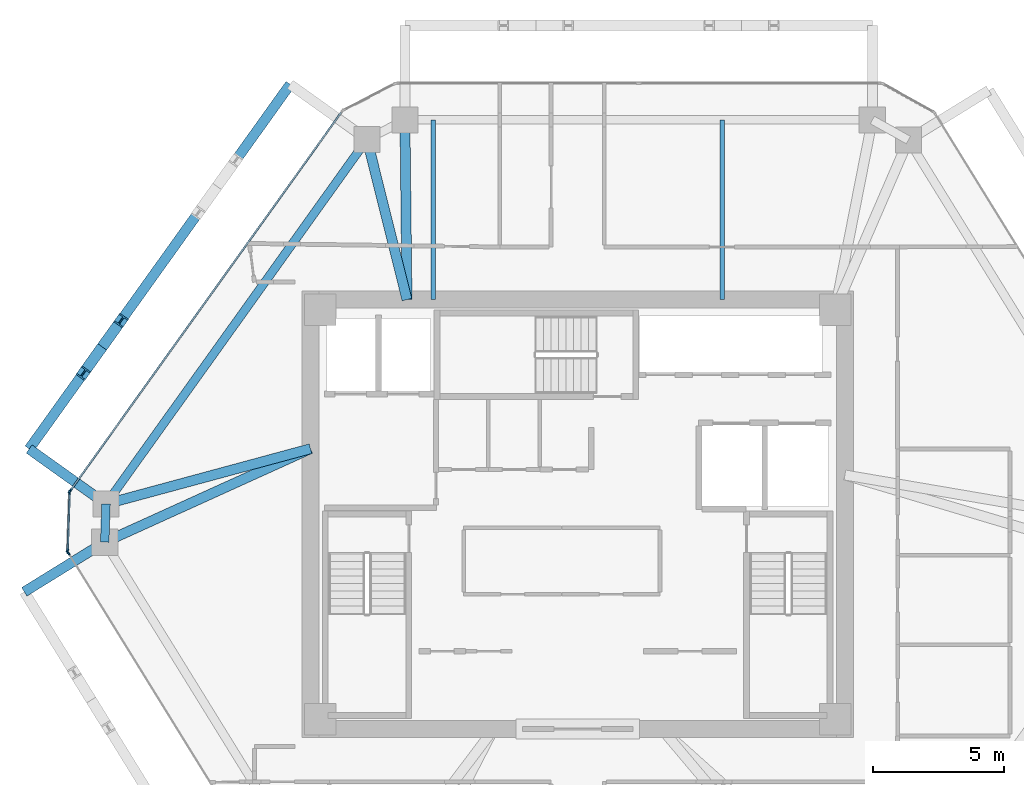
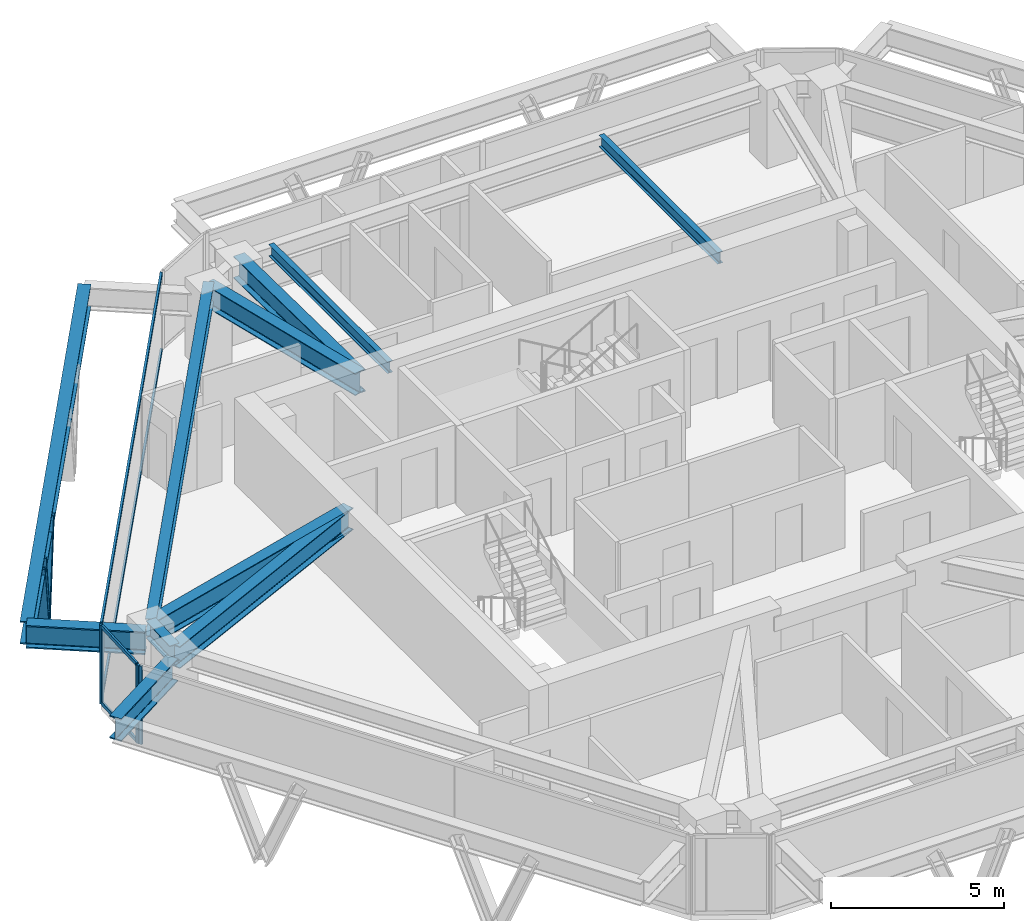
# One storey, part 4 of 12: 11 beams, 10 members, 3 elements without a shape of their own.
"""IFC4 building model written with IfcOpenShell, lengths in metres."""

from ifc_helpers import new_model, si_unit, direction, frame, origin, origin_2d, place, context, subcontext, project, spatial, rectangle, i_section, extrude, source, transform, mapped, material, layer, layer_set, material_profile, profile_set, type_object, type_shapes, element, aggregate, save


model = new_model("IFC4")

# Units and contexts
model_context = context("Model", 3, precision=1e-05, world=origin(), true_north=direction((0.0, 1.0)))
body_context = subcontext(model_context, "Body", "Model", "MODEL_VIEW")
ifc_project = project(units=[si_unit("LENGTHUNIT", "METRE"), si_unit("AREAUNIT", "SQUARE_METRE"), si_unit("VOLUMEUNIT", "CUBIC_METRE"), si_unit("PLANEANGLEUNIT", "RADIAN"), si_unit("MASSUNIT", "GRAM", prefix="KILO")], contexts=[model_context])

# Site, building, storey
site_placement = place(None, origin())
site = spatial("IfcSite", under=ifc_project, at=site_placement, CompositionType="ELEMENT")
building_placement = place(site_placement, origin())
building = spatial("IfcBuilding", under=site, at=building_placement, Name="Durnholm Broadcast Tower", CompositionType="ELEMENT")
storey_placement = place(building_placement, frame((0.0, 0.0, 203.199951171875)))
storey = spatial("IfcBuildingStorey", under=building, at=storey_placement, Name="L56", CompositionType="ELEMENT", Elevation=203.199951171875)

# Beams
ifc_material_1 = material(Name="Steel ASTM A992 Grade 50", Category="steel")
ifc_material_profile_1 = material_profile(ifc_material_1, i_section(OverallWidth=0.385009765625, OverallDepth=0.802978515625, WebThickness=0.023681640625, FlangeThickness=0.0419921875, FilletRadius=0.032958984375, at=origin_2d()), Name="W30X261")
ifc_profile_set_1 = profile_set([ifc_material_profile_1], Name="Steel ASTM A992 Grade 50")
beam_type_1 = type_object("IfcBeamType", Name="BM-EXO-TIE", PredefinedType="USERDEFINED", material=ifc_profile_set_1)
shared_shape_1 = source(origin(), body_context, "Body", "SweptSolid", [
    extrude(i_section(OverallWidth=0.385009765625, OverallDepth=0.802978515625, WebThickness=0.023681640625, FlangeThickness=0.0419921875, FilletRadius=0.032958984375, at=origin_2d()), origin(), (0.0, 0.0, 1.0), 3.4560546875),
])
beam_1_placement = place(storey_placement, frame((-18.131591796875, -1.13232421875, 2.008544921875), z_axis=(-0.850662348375, -0.525712439512, 0.0), x_axis=(0.525712439512, -0.850662348375, 0.0)))
element("IfcBeam", 1, at=beam_1_placement, inside=storey, type_object=beam_type_1, Name="L56 exoskeleton stand-off tie bracket F6.1", ObjectType="GIRDER", PredefinedType="USERDEFINED", context=body_context, shape_type="MappedRepresentation", body=[
    mapped(shared_shape_1, transform((0.0, 0.0, 0.0), x_axis=(1.0, 0.0, 0.0), y_axis=(0.0, 1.0, 0.0), z_axis=(0.0, 0.0, 1.0), scale=1.0)),
])
shared_shape_2 = source(origin(), body_context, "Body", "SweptSolid", [
    extrude(i_section(OverallWidth=0.385009765625, OverallDepth=0.802978515625, WebThickness=0.023681640625, FlangeThickness=0.0419921875, FilletRadius=0.032958984375, at=origin_2d()), origin(), (0.0, 0.0, 1.0), 3.455810546875),
])
beam_2_placement = place(storey_placement, frame((-18.076904296875, 0.4794921875, 2.008544921875), z_axis=(-0.813112485828, 0.582106592808, 0.0), x_axis=(-0.582106592808, -0.813112485828, 0.0)))
element("IfcBeam", 2, at=beam_2_placement, inside=storey, type_object=beam_type_1, Name="L56 exoskeleton stand-off tie bracket F5.2", ObjectType="GIRDER", PredefinedType="USERDEFINED", context=body_context, shape_type="MappedRepresentation", body=[
    mapped(shared_shape_2, transform((0.0, 0.0, 0.0), x_axis=(1.0, 0.0, 0.0), y_axis=(0.0, 1.0, 0.0), z_axis=(0.0, 0.0, 1.0), scale=1.0)),
])
ifc_material_profile_2 = material_profile(ifc_material_1, i_section(OverallWidth=0.3251953125, OverallDepth=0.6162109375, WebThickness=0.013916015625, FlangeThickness=0.021484375, FilletRadius=0.02783203125, at=origin_2d()), Name="W24X117")
ifc_profile_set_2 = profile_set([ifc_material_profile_2], Name="Steel ASTM A992 Grade 50")
beam_type_2 = type_object("IfcBeamType", Name="STL-SP-W24X117", PredefinedType="SPANDREL", material=ifc_profile_set_2)
shared_shape_3 = source(origin(), body_context, "Body", "SweptSolid", [
    extrude(i_section(OverallWidth=0.3251953125, OverallDepth=0.6162109375, WebThickness=0.013916015625, FlangeThickness=0.021484375, FilletRadius=0.02783203125, at=origin_2d()), origin(), (0.0, 0.0, 1.0), 1.452880859375),
])
beam_3_placement = place(storey_placement, frame((-18.009033203125, -1.056640625, 2.43701171875), z_axis=(0.03377359304, 0.999429509477, 0.0), x_axis=(-0.999429509477, 0.03377359304, 0.0)))
element("IfcBeam", 3, at=beam_3_placement, inside=storey, type_object=beam_type_2, Name="L56 perimeter spandrel girder 02", PredefinedType="SPANDREL", context=body_context, shape_type="MappedRepresentation", body=[
    mapped(shared_shape_3, transform((0.0, 0.0, 0.0), x_axis=(1.0, 0.0, 0.0), y_axis=(0.0, 1.0, 0.0), z_axis=(0.0, 0.0, 1.0), scale=1.0)),
])
shared_shape_4 = source(origin(), body_context, "Body", "SweptSolid", [
    extrude(i_section(OverallWidth=0.3251953125, OverallDepth=0.6162109375, WebThickness=0.013916015625, FlangeThickness=0.021484375, FilletRadius=0.02783203125, at=origin_2d()), origin(), (0.0, 0.0, 1.0), 17.07177734375),
])
type_shapes(beam_type_2, [shared_shape_3, shared_shape_4])
beam_4_placement = place(storey_placement, frame((-17.9599609375, 0.3955078125, 2.43701171875), z_axis=(0.582142843258, 0.813086532937, 0.0), x_axis=(-0.813086532937, 0.582142843258, 0.0)))
element("IfcBeam", 4, at=beam_4_placement, inside=storey, type_object=beam_type_2, Name="L56 perimeter spandrel girder 03", PredefinedType="SPANDREL", context=body_context, shape_type="MappedRepresentation", body=[
    mapped(shared_shape_4, transform((0.0, 0.0, 0.0), x_axis=(1.0, 0.0, 0.0), y_axis=(0.0, 1.0, 0.0), z_axis=(0.0, 0.0, 1.0), scale=1.0)),
])
shared_shape_5 = source(origin(), body_context, "Body", "SweptSolid", [
    extrude(i_section(OverallWidth=0.385009765625, OverallDepth=0.802978515625, WebThickness=0.023681640625, FlangeThickness=0.0419921875, FilletRadius=0.032958984375, at=origin_2d()), origin(), (0.0, 0.0, 1.0), 17.07177734375),
])
type_shapes(beam_type_1, [shared_shape_1, shared_shape_2, shared_shape_5])
beam_5_placement = place(storey_placement, frame((-10.948974609375, 16.3720703125, 2.008544921875), z_axis=(-0.582133388739, -0.813093301974, 0.0), x_axis=(0.813093301974, -0.582133388739, 0.0)))
element("IfcBeam", 5, at=beam_5_placement, inside=storey, type_object=beam_type_1, Name="L56 exoskeleton collector spandrel F5", PredefinedType="SPANDREL", context=body_context, shape_type="MappedRepresentation", body=[
    mapped(shared_shape_5, transform((0.0, 0.0, 0.0), x_axis=(1.0, 0.0, 0.0), y_axis=(0.0, 1.0, 0.0), z_axis=(0.0, 0.0, 1.0), scale=1.0)),
])
ifc_material_profile_3 = material_profile(ifc_material_1, i_section(OverallWidth=0.380615234375, OverallDepth=0.773193359375, WebThickness=0.0166015625, FlangeThickness=0.027099609375, FilletRadius=0.032958984375, at=origin_2d()), Name="W30X173")
ifc_profile_set_3 = profile_set([ifc_material_profile_3], Name="Steel ASTM A992 Grade 50")
beam_type_3 = type_object("IfcBeamType", Name="STL-GR-W30X173", PredefinedType="USERDEFINED", material=ifc_profile_set_3)
shared_shape_6 = source(origin(), body_context, "Body", "SweptSolid", [
    extrude(i_section(OverallWidth=0.380615234375, OverallDepth=0.773193359375, WebThickness=0.0166015625, FlangeThickness=0.027099609375, FilletRadius=0.032958984375, at=origin_2d()), origin(), (0.0, 0.0, 1.0), 8.603515625),
])
beam_6_placement = place(storey_placement, frame((-10.175048828125, 2.5, 2.3583984375), z_axis=(-0.910552971728, -0.413392411248, 0.0), x_axis=(0.413392411248, -0.910552971728, 0.0)))
element("IfcBeam", 6, at=beam_6_placement, inside=storey, type_object=beam_type_3, Name="L56 radial primary floor girder 02", ObjectType="GIRDER", PredefinedType="USERDEFINED", context=body_context, shape_type="MappedRepresentation", body=[
    mapped(shared_shape_6, transform((0.0, 0.0, 0.0), x_axis=(1.0, 0.0, 0.0), y_axis=(0.0, 1.0, 0.0), z_axis=(0.0, 0.0, 1.0), scale=1.0)),
])
shared_shape_7 = source(origin(), body_context, "Body", "SweptSolid", [
    extrude(i_section(OverallWidth=0.380615234375, OverallDepth=0.773193359375, WebThickness=0.0166015625, FlangeThickness=0.027099609375, FilletRadius=0.032958984375, at=origin_2d()), origin(), (0.0, 0.0, 1.0), 8.064453125),
])
beam_7_placement = place(storey_placement, frame((-10.175048828125, 2.5, 2.3583984375), z_axis=(-0.96534896552, -0.260962401066, 0.0), x_axis=(0.260962401066, -0.96534896552, 0.0)))
element("IfcBeam", 7, at=beam_7_placement, inside=storey, type_object=beam_type_3, Name="L56 radial primary floor girder 03", ObjectType="GIRDER", PredefinedType="USERDEFINED", context=body_context, shape_type="MappedRepresentation", body=[
    mapped(shared_shape_7, transform((0.0, 0.0, 0.0), x_axis=(1.0, 0.0, 0.0), y_axis=(0.0, 1.0, 0.0), z_axis=(0.0, 0.0, 1.0), scale=1.0)),
])
shared_shape_8 = source(origin(), body_context, "Body", "SweptSolid", [
    extrude(i_section(OverallWidth=0.380615234375, OverallDepth=0.773193359375, WebThickness=0.0166015625, FlangeThickness=0.027099609375, FilletRadius=0.032958984375, at=origin_2d()), origin(), (0.0, 0.0, 1.0), 6.288330078125),
])
beam_8_placement = place(storey_placement, frame((-6.5, 8.175048828125, 2.3583984375), z_axis=(-0.241996604408, 0.970277096223, 0.0), x_axis=(-0.970277096223, -0.241996604408, 0.0)))
element("IfcBeam", 8, at=beam_8_placement, inside=storey, type_object=beam_type_3, Name="L56 radial primary floor girder 04", ObjectType="GIRDER", PredefinedType="USERDEFINED", context=body_context, shape_type="MappedRepresentation", body=[
    mapped(shared_shape_8, transform((0.0, 0.0, 0.0), x_axis=(1.0, 0.0, 0.0), y_axis=(0.0, 1.0, 0.0), z_axis=(0.0, 0.0, 1.0), scale=1.0)),
])
shared_shape_9 = source(origin(), body_context, "Body", "SweptSolid", [
    extrude(i_section(OverallWidth=0.380615234375, OverallDepth=0.773193359375, WebThickness=0.0166015625, FlangeThickness=0.027099609375, FilletRadius=0.032958984375, at=origin_2d()), origin(), (0.0, 0.0, 1.0), 6.843505859375),
])
type_shapes(beam_type_3, [shared_shape_6, shared_shape_7, shared_shape_8, shared_shape_9])
beam_9_placement = place(storey_placement, frame((-6.5, 8.175048828125, 2.3583984375), z_axis=(-0.011487343604, 0.999934018292, 0.0), x_axis=(-0.999934018292, -0.011487343604, 0.0)))
element("IfcBeam", 9, at=beam_9_placement, inside=storey, type_object=beam_type_3, Name="L56 radial primary floor girder 05", ObjectType="GIRDER", PredefinedType="USERDEFINED", context=body_context, shape_type="MappedRepresentation", body=[
    mapped(shared_shape_9, transform((0.0, 0.0, 0.0), x_axis=(1.0, 0.0, 0.0), y_axis=(0.0, 1.0, 0.0), z_axis=(0.0, 0.0, 1.0), scale=1.0)),
])
ifc_material_profile_4 = material_profile(ifc_material_1, i_section(OverallWidth=0.177734375, OverallDepth=0.40673828125, WebThickness=0.0078125, FlangeThickness=0.0126953125, FilletRadius=0.01904296875, at=origin_2d()), Name="W16X40")
ifc_profile_set_4 = profile_set([ifc_material_profile_4], Name="Steel ASTM A992 Grade 50")
beam_type_4 = type_object("IfcBeamType", Name="STL-BJ-W16X40", PredefinedType="JOIST", material=ifc_profile_set_4)
shared_shape_10 = source(origin(), body_context, "Body", "SweptSolid", [
    extrude(i_section(OverallWidth=0.177734375, OverallDepth=0.40673828125, WebThickness=0.0078125, FlangeThickness=0.0126953125, FilletRadius=0.01904296875, at=origin_2d()), origin(), (0.0, 0.0, 1.0), 6.843017578125),
])
type_shapes(beam_type_4, [shared_shape_10])
for number, where, z_axis, x_axis, name in (
    (10, (-5.5, 8.175048828125, 2.541748046875), (0.0, 1.0, 0.0), (-1.0, 0.0, 0.0), "L56 secondary floor joist 3.2"),
    (11, (5.5, 8.175048828125, 2.541748046875), (0.0, 1.0, 0.0), (-1.0, 0.0, 0.0), "L56 secondary floor joist 4.2"),
):
    element("IfcBeam", number, at=place(storey_placement, frame(where, z_axis=z_axis, x_axis=x_axis)), inside=storey, type_object=beam_type_4, Name=name, PredefinedType="JOIST", context=body_context, shape_type="MappedRepresentation", body=[
        mapped(shared_shape_10, transform((0.0, 0.0, 0.0), x_axis=(1.0, 0.0, 0.0), y_axis=(0.0, 1.0, 0.0), z_axis=(0.0, 0.0, 1.0), scale=1.0)),
    ])

# Members
ifc_material_2 = material(Name="Steel ASTM A913 Grade 65", Category="steel")
ifc_material_profile_5 = material_profile(ifc_material_2, i_section(OverallWidth=0.412109375, OverallDepth=0.434814453125, WebThickness=0.035888671875, FlangeThickness=0.057373046875, FilletRadius=0.030517578125, at=origin_2d()), Name="W14X311")
ifc_profile_set_5 = profile_set([ifc_material_profile_5], Name="Steel ASTM A913 Grade 65")
member_type_1 = type_object("IfcMemberType", Name="STL-DG-W14X311", PredefinedType="BRACE", material=ifc_profile_set_5)
shared_shape_11 = source(origin(), body_context, "Body", "SweptSolid", [
    extrude(i_section(OverallWidth=0.412109375, OverallDepth=0.434814453125, WebThickness=0.035888671875, FlangeThickness=0.057373046875, FilletRadius=0.030517578125, at=origin_2d()), origin(), (0.0, 0.0, 1.0), 3.24365234375),
])
member_1_placement = place(storey_placement, frame((-18.1044921875, 6.3779296875, -0.991455078125), z_axis=(-0.22135424125, -0.309263712104, 0.924855802953), x_axis=(0.813171482985, -0.58202417412, 0.0)))
element("IfcMember", 12, at=member_1_placement, inside=storey, type_object=member_type_1, Name="L56 stand-off diagrid brace F5.D2.2", PredefinedType="BRACE", context=body_context, shape_type="MappedRepresentation", body=[
    mapped(shared_shape_11, transform((0.0, 0.0, 0.0), x_axis=(1.0, 0.0, 0.0), y_axis=(0.0, 1.0, 0.0), z_axis=(0.0, 0.0, 1.0), scale=1.0)),
])
shared_shape_12 = source(origin(), body_context, "Body", "SweptSolid", [
    extrude(i_section(OverallWidth=0.412109375, OverallDepth=0.434814453125, WebThickness=0.035888671875, FlangeThickness=0.057373046875, FilletRadius=0.030517578125, at=origin_2d()), origin(), (0.0, 0.0, 1.0), 3.243896484375),
])
type_shapes(member_type_1, [shared_shape_11, shared_shape_12])
member_2_placement = place(storey_placement, frame((-18.1044921875, 6.3779296875, -0.991455078125), z_axis=(0.22142581661, 0.309258558956, 0.92484039242), x_axis=(-0.813077820009, 0.582155012526, 0.0)))
element("IfcMember", 13, at=member_2_placement, inside=storey, type_object=member_type_1, Name="L56 stand-off diagrid brace F5.D2.1", PredefinedType="BRACE", context=body_context, shape_type="MappedRepresentation", body=[
    mapped(shared_shape_12, transform((0.0, 0.0, 0.0), x_axis=(1.0, 0.0, 0.0), y_axis=(0.0, 1.0, 0.0), z_axis=(0.0, 0.0, 1.0), scale=1.0)),
])

# Curtain wall, members
ifc_material_3 = material(Name="Aluminium and Solar Control IGU", Category="aluminium")
ifc_layer_1 = layer(ifc_material_3, 0.1650390625)
ifc_layer_set_1 = layer_set([ifc_layer_1], Name="Aluminium and Solar Control IGU")
curtain_wall_type_1 = type_object("IfcCurtainWallType", Name="CW-SYS-5", PredefinedType="NOTDEFINED", material=ifc_layer_set_1)
curtain_wall_1_placement = place(storey_placement, origin())
curtain_wall_1 = element("IfcCurtainWall", 14, at=curtain_wall_1_placement, inside=storey, type_object=curtain_wall_type_1, Name="L56 curtain wall CW-CORNER CW-L56-CRN-01", PredefinedType="NOTDEFINED")
ifc_material_4 = material(Name="Aluminium 6063-T6", Category="aluminium")
ifc_material_profile_6 = material_profile(ifc_material_4, rectangle(XDim=0.06494140625, YDim=0.1650390625, at=origin_2d()), Name="CWM65X165")
ifc_profile_set_6 = profile_set([ifc_material_profile_6], Name="Aluminium 6063-T6")
member_type_2 = type_object("IfcMemberType", Name="CW-SYS-5-MUL", PredefinedType="MULLION", material=ifc_profile_set_6)
shared_shape_13 = source(origin(), body_context, "Body", "SweptSolid", [
    extrude(rectangle(XDim=0.06494140625, YDim=0.1650390625, at=origin_2d()), origin(), (0.0, 0.0, 1.0), 2.760009765625),
])
type_shapes(member_type_2, [shared_shape_13])
member_3_placement = place(storey_placement, frame((-19.421630859375, -1.39990234375, 0.0), z_axis=(0.0, 0.0, 1.0), x_axis=(-0.999424798802, 0.033912704699, 0.0)))
member_3 = element("IfcMember", 15, at=member_3_placement, type_object=member_type_2, Name="CW-CORNER mullion 1", PredefinedType="MULLION", context=body_context, shape_type="MappedRepresentation", body=[
    mapped(shared_shape_13, transform((0.0, 0.0, 0.0), x_axis=(1.0, 0.0, 0.0), y_axis=(0.0, 1.0, 0.0), z_axis=(0.0, 0.0, 1.0), scale=1.0)),
])
member_4_placement = place(storey_placement, frame((-19.345703125, 0.833740234375, 0.0), z_axis=(0.0, 0.0, 1.0), x_axis=(-0.999424798802, 0.033912704699, 0.0)))
member_4 = element("IfcMember", 16, at=member_4_placement, type_object=member_type_2, Name="CW-CORNER mullion 2", PredefinedType="MULLION", context=body_context, shape_type="MappedRepresentation", body=[
    mapped(shared_shape_13, transform((0.0, 0.0, 0.0), x_axis=(1.0, 0.0, 0.0), y_axis=(0.0, 1.0, 0.0), z_axis=(0.0, 0.0, 1.0), scale=1.0)),
])
ifc_material_profile_7 = material_profile(ifc_material_4, rectangle(XDim=0.06494140625, YDim=0.1298828125, at=origin_2d()), Name="CWT65X130")
ifc_profile_set_7 = profile_set([ifc_material_profile_7], Name="Aluminium 6063-T6")
member_type_3 = type_object("IfcMemberType", Name="CW-SYS-5-TRN", PredefinedType="USERDEFINED", material=ifc_profile_set_7)
shared_shape_14 = source(origin(), body_context, "Body", "SweptSolid", [
    extrude(rectangle(XDim=0.06494140625, YDim=0.1298828125, at=origin_2d()), origin(), (0.0, 0.0, 1.0), 2.169921875),
])
type_shapes(member_type_3, [shared_shape_14])
member_5_placement = place(storey_placement, frame((-19.42041015625, -1.367431640625, 0.032470703125), z_axis=(0.033865512339, 0.999426399028, 0.0), x_axis=(-0.999426399028, 0.033865512339, 0.0)))
member_5 = element("IfcMember", 17, at=member_5_placement, type_object=member_type_3, Name="CW-CORNER transom 1.1", ObjectType="TRANSOM", PredefinedType="USERDEFINED", context=body_context, shape_type="MappedRepresentation", body=[
    mapped(shared_shape_14, transform((0.0, 0.0, 0.0), x_axis=(1.0, 0.0, 0.0), y_axis=(0.0, 1.0, 0.0), z_axis=(0.0, 0.0, 1.0), scale=1.0)),
])
member_6_placement = place(storey_placement, frame((-19.42041015625, -1.367431640625, 2.7275390625), z_axis=(0.033865512339, 0.999426399028, 0.0), x_axis=(-0.999426399028, 0.033865512339, 0.0)))
member_6 = element("IfcMember", 18, at=member_6_placement, type_object=member_type_3, Name="CW-CORNER transom 1.2", ObjectType="TRANSOM", PredefinedType="USERDEFINED", context=body_context, shape_type="MappedRepresentation", body=[
    mapped(shared_shape_14, transform((0.0, 0.0, 0.0), x_axis=(1.0, 0.0, 0.0), y_axis=(0.0, 1.0, 0.0), z_axis=(0.0, 0.0, 1.0), scale=1.0)),
])
aggregate(curtain_wall_1, [member_3, member_4, member_5, member_6])

ifc_layer_2 = layer(ifc_material_3, 0.18994140625)
ifc_layer_set_2 = layer_set([ifc_layer_2], Name="Aluminium and Solar Control IGU")
curtain_wall_type_2 = type_object("IfcCurtainWallType", Name="CW-SYS-4", PredefinedType="NOTDEFINED", material=ifc_layer_set_2)
curtain_wall_2_placement = place(storey_placement, origin())
curtain_wall_2 = element("IfcCurtainWall", 19, at=curtain_wall_2_placement, inside=storey, type_object=curtain_wall_type_2, Name="L56 curtain wall CW-Z34-VIS CW-L56-F02", PredefinedType="NOTDEFINED")
ifc_material_profile_8 = material_profile(ifc_material_4, rectangle(XDim=0.070068359375, YDim=0.14990234375, at=origin_2d()), Name="CWT70X150")
ifc_profile_set_8 = profile_set([ifc_material_profile_8], Name="Aluminium 6063-T6")
member_type_4 = type_object("IfcMemberType", Name="CW-SYS-4-TRN", PredefinedType="USERDEFINED", material=ifc_profile_set_8)
shared_shape_15 = source(origin(), body_context, "Body", "SweptSolid", [
    extrude(rectangle(XDim=0.070068359375, YDim=0.14990234375, at=origin_2d()), origin(), (0.0, 0.0, 1.0), 17.69384765625),
])
type_shapes(member_type_4, [shared_shape_15])
member_7_placement = place(storey_placement, frame((-19.303955078125, 0.923095703125, 0.03515625), z_axis=(0.582138438195, 0.813089686797, 0.0), x_axis=(-0.813089686797, 0.582138438195, 0.0)))
member_7 = element("IfcMember", 20, at=member_7_placement, type_object=member_type_4, Name="CW-Z34-VIS transom 1.1", ObjectType="TRANSOM", PredefinedType="USERDEFINED", context=body_context, shape_type="MappedRepresentation", body=[
    mapped(shared_shape_15, transform((0.0, 0.0, 0.0), x_axis=(1.0, 0.0, 0.0), y_axis=(0.0, 1.0, 0.0), z_axis=(0.0, 0.0, 1.0), scale=1.0)),
])
member_8_placement = place(storey_placement, frame((-19.303955078125, 0.923095703125, 2.72509765625), z_axis=(0.582138438195, 0.813089686797, 0.0), x_axis=(-0.813089686797, 0.582138438195, 0.0)))
member_8 = element("IfcMember", 21, at=member_8_placement, type_object=member_type_4, Name="CW-Z34-VIS transom 1.2", ObjectType="TRANSOM", PredefinedType="USERDEFINED", context=body_context, shape_type="MappedRepresentation", body=[
    mapped(shared_shape_15, transform((0.0, 0.0, 0.0), x_axis=(1.0, 0.0, 0.0), y_axis=(0.0, 1.0, 0.0), z_axis=(0.0, 0.0, 1.0), scale=1.0)),
])
ifc_material_profile_9 = material_profile(ifc_material_4, rectangle(XDim=0.070068359375, YDim=0.18994140625, at=origin_2d()), Name="CWM70X190")
ifc_profile_set_9 = profile_set([ifc_material_profile_9], Name="Aluminium 6063-T6")
member_type_5 = type_object("IfcMemberType", Name="CW-SYS-4-MUL", PredefinedType="MULLION", material=ifc_profile_set_9)
shared_shape_16 = source(origin(), body_context, "Body", "SweptSolid", [
    extrude(rectangle(XDim=0.070068359375, YDim=0.18994140625, at=origin_2d()), origin(), (0.0, 0.0, 1.0), 2.760009765625),
])
type_shapes(member_type_5, [shared_shape_16])
member_9_placement = place(storey_placement, frame((-19.32421875, 0.894775390625, 0.0), z_axis=(0.0, 0.0, 1.0), x_axis=(-0.813089262696, 0.582139030549, 0.0)))
member_9 = element("IfcMember", 22, at=member_9_placement, type_object=member_type_5, Name="CW-Z34-VIS mullion 1", PredefinedType="MULLION", context=body_context, shape_type="MappedRepresentation", body=[
    mapped(shared_shape_16, transform((0.0, 0.0, 0.0), x_axis=(1.0, 0.0, 0.0), y_axis=(0.0, 1.0, 0.0), z_axis=(0.0, 0.0, 1.0), scale=1.0)),
])
aggregate(curtain_wall_2, [member_9, member_7, member_8])

# Curtain wall, member
curtain_wall_3_placement = place(storey_placement, origin())
curtain_wall_3 = element("IfcCurtainWall", 23, at=curtain_wall_3_placement, inside=storey, type_object=curtain_wall_type_2, Name="L56 curtain wall CW-Z34-VIS CW-L56-F12", PredefinedType="NOTDEFINED")
member_10_placement = place(storey_placement, frame((-19.404296875, -1.462158203125, 0.0), z_axis=(0.0, 0.0, 1.0), x_axis=(-0.850671426092, -0.525697750452, 0.0)))
member_10 = element("IfcMember", 24, at=member_10_placement, type_object=member_type_5, Name="CW-Z34-VIS mullion 2", PredefinedType="MULLION", context=body_context, shape_type="MappedRepresentation", body=[
    mapped(shared_shape_16, transform((0.0, 0.0, 0.0), x_axis=(1.0, 0.0, 0.0), y_axis=(0.0, 1.0, 0.0), z_axis=(0.0, 0.0, 1.0), scale=1.0)),
])
aggregate(curtain_wall_3, [member_10])

save(model, "model.ifc")
